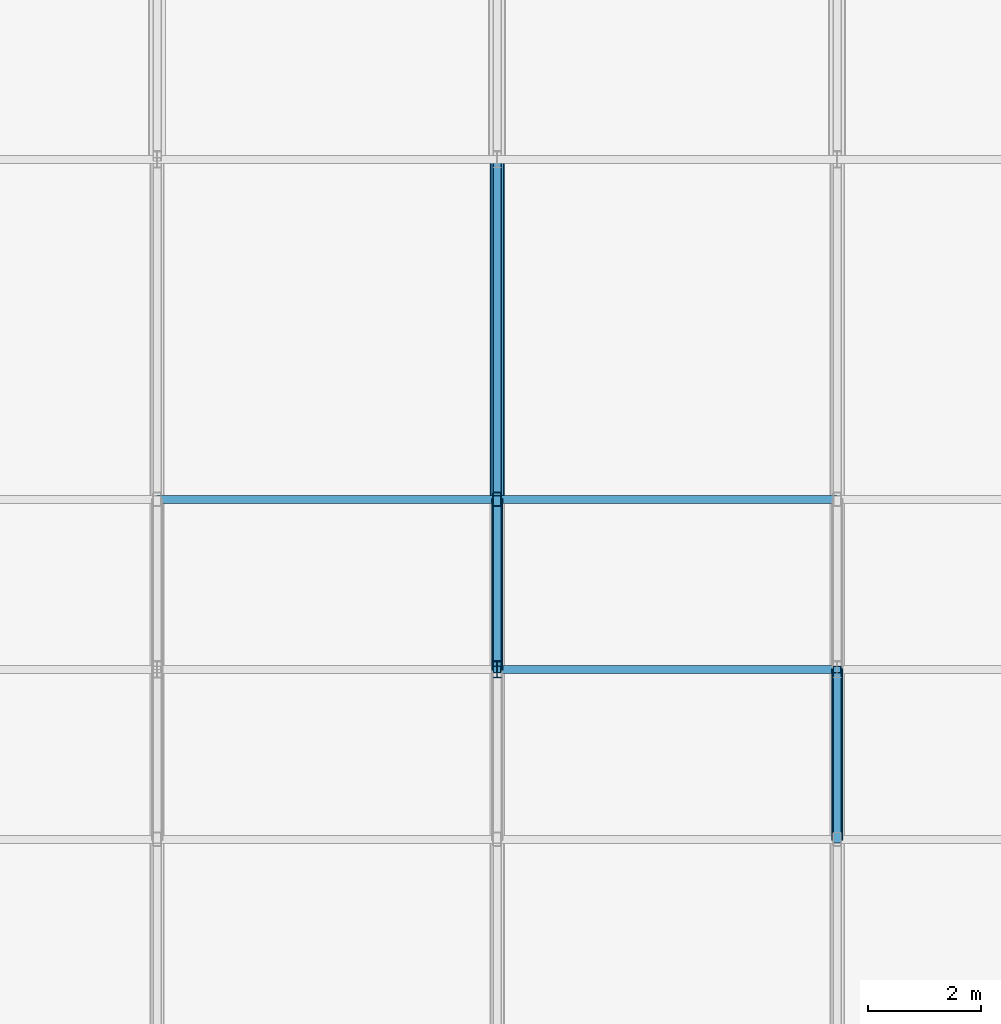
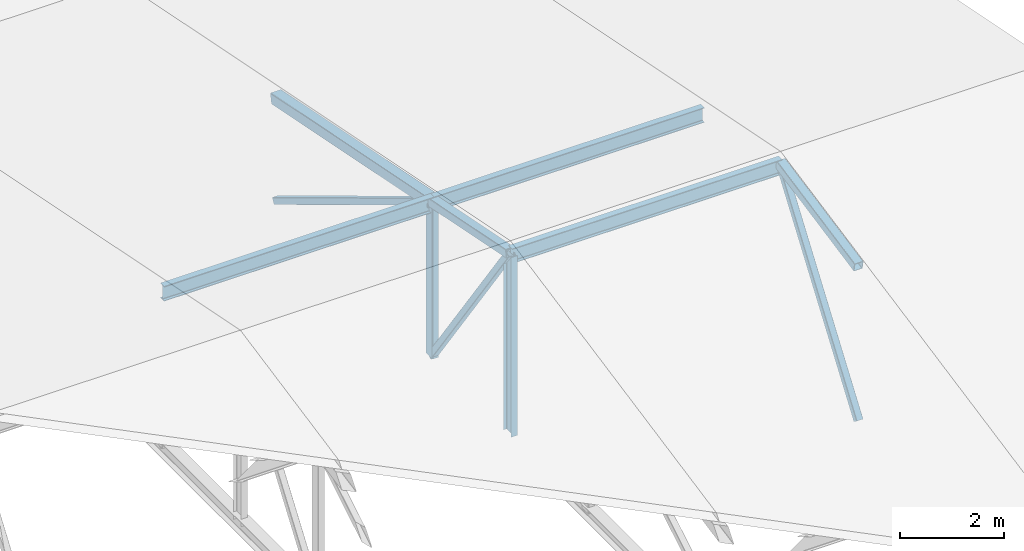
# One storey, part 36 of 83: 8 members, 3 beams.
"""IFC4 building model written with IfcOpenShell, lengths in metres."""

from ifc_helpers import new_model, si_unit, direction, frame, origin, origin_2d, place, context, subcontext, project, spatial, hollow_rectangle, i_section, extrude, material, material_profile, profile_set, type_object, element, save


model = new_model("IFC4")

# Units and contexts
model_context = context("Model", 3, precision=1e-05, world=origin(), true_north=direction((0.0, 1.0)))
body_context = subcontext(model_context, "Body", "Model", "MODEL_VIEW")
ifc_project = project(units=[si_unit("LENGTHUNIT", "METRE"), si_unit("AREAUNIT", "SQUARE_METRE"), si_unit("VOLUMEUNIT", "CUBIC_METRE"), si_unit("PLANEANGLEUNIT", "RADIAN"), si_unit("MASSUNIT", "GRAM", prefix="KILO")], contexts=[model_context])

# Site, building, storey
site_placement = place(None, origin())
site = spatial("IfcSite", under=ifc_project, at=site_placement, CompositionType="ELEMENT")
building_placement = place(site_placement, origin())
building = spatial("IfcBuilding", under=site, at=building_placement, Name="Varnakota Square Police Headquarters", CompositionType="ELEMENT")
storey_placement = place(building_placement, frame((0.0, 0.0, 18.0)))
storey = spatial("IfcBuildingStorey", under=building, at=storey_placement, Name="L04", CompositionType="ELEMENT", Elevation=18.0)

# Beams
ifc_material = material(Name="Steel IS 2062 Grade 350", Category="steel")
ifc_material_profile_1 = material_profile(ifc_material, hollow_rectangle(XDim=0.199951171875, YDim=0.199951171875, WallThickness=0.010009765625, InnerFilletRadius=0.010009765625, OuterFilletRadius=0.02001953125, at=origin_2d()), Name="SHS 200x200x10")
ifc_profile_set_1 = profile_set([ifc_material_profile_1], Name="Steel IS 2062 Grade 350")
beam_type_1 = type_object("IfcBeamType", Name="BM-TR-SHS200", PredefinedType="BEAM", material=ifc_profile_set_1)
for number, where, z_axis, x_axis, name in (
    (1, (42.0, 90.0, 2.719970703125), (0.0, 0.980589882373, -0.196070096109), (-1.0, 0.0, 0.0), "ROOF TRUSS top chord T6-P4"),
    (2, (48.0, 87.0, 2.1201171875), (0.0, 0.980589882373, 0.196070096109), (-1.0, 0.0, 0.0), "ROOF TRUSS top chord T7-P3"),
):
    element("IfcBeam", number, at=place(storey_placement, frame(where, z_axis=z_axis, x_axis=x_axis)), inside=storey, type_object=beam_type_1, Name=name, PredefinedType="BEAM", context=body_context, shape_type="SweptSolid", body=[
        extrude(hollow_rectangle(XDim=0.199951171875, YDim=0.199951171875, WallThickness=0.010009765625, InnerFilletRadius=0.010009765625, OuterFilletRadius=0.02001953125, at=origin_2d()), origin(), (0.0, 0.0, 1.0), 3.059326171875),
    ])
ifc_material_profile_2 = material_profile(ifc_material, hollow_rectangle(XDim=0.25, YDim=0.25, WallThickness=0.011962890625, InnerFilletRadius=0.011962890625, OuterFilletRadius=0.02392578125, at=origin_2d()), Name="SHS 250x250x12")
ifc_profile_set_2 = profile_set([ifc_material_profile_2], Name="Steel IS 2062 Grade 350")
beam_type_2 = type_object("IfcBeamType", Name="BM-TR-SHS250", PredefinedType="BEAM", material=ifc_profile_set_2)
beam_placement = place(storey_placement, frame((42.0, 93.0, 2.1201171875), z_axis=(0.0, 0.980574536798, -0.196146827104), x_axis=(-1.0, 0.0, 0.0)))
element("IfcBeam", 3, at=beam_placement, inside=storey, type_object=beam_type_2, Name="ROOF TRUSS top chord T6-P5", PredefinedType="BEAM", context=body_context, shape_type="SweptSolid", body=[
    extrude(hollow_rectangle(XDim=0.25, YDim=0.25, WallThickness=0.011962890625, InnerFilletRadius=0.011962890625, OuterFilletRadius=0.02392578125, at=origin_2d()), origin(), (0.0, 0.0, 1.0), 6.118896484375),
])

# Members
ifc_material_profile_3 = material_profile(ifc_material, hollow_rectangle(XDim=0.14990234375, YDim=0.14990234375, WallThickness=0.008056640625, InnerFilletRadius=0.008056640625, OuterFilletRadius=0.01611328125, at=origin_2d()), Name="SHS 150x150x8")
ifc_profile_set_3 = profile_set([ifc_material_profile_3], Name="Steel IS 2062 Grade 350")
member_type_1 = type_object("IfcMemberType", Name="MEM-BR-SHS150", PredefinedType="BRACE", material=ifc_profile_set_3)
member_1_placement = place(storey_placement, frame((42.0, 90.0, 2.719970703125), z_axis=(0.0, 0.579412433141, -0.815034497627), x_axis=(-1.0, 0.0, 0.0)))
element("IfcMember", 4, at=member_1_placement, inside=storey, type_object=member_type_1, Name="ROOF TRUSS diagonal web T6-P4", PredefinedType="BRACE", context=body_context, shape_type="SweptSolid", body=[
    extrude(hollow_rectangle(XDim=0.14990234375, YDim=0.14990234375, WallThickness=0.008056640625, InnerFilletRadius=0.008056640625, OuterFilletRadius=0.01611328125, at=origin_2d()), origin(), (0.0, 0.0, 1.0), 5.177734375),
])
member_2_placement = place(storey_placement, frame((42.0, 93.0, 2.1201171875), z_axis=(0.0, 0.856223797044, -0.516605080671), x_axis=(-1.0, 0.0, 0.0)))
element("IfcMember", 5, at=member_2_placement, inside=storey, type_object=member_type_1, Name="ROOF TRUSS diagonal web T6-P5", PredefinedType="BRACE", context=body_context, shape_type="SweptSolid", body=[
    extrude(hollow_rectangle(XDim=0.14990234375, YDim=0.14990234375, WallThickness=0.008056640625, InnerFilletRadius=0.008056640625, OuterFilletRadius=0.01611328125, at=origin_2d()), origin(), (0.0, 0.0, 1.0), 7.007568359375),
])
member_3_placement = place(storey_placement, frame((48.0, 87.0, -1.5), z_axis=(0.0, 0.579412433141, 0.815034497627), x_axis=(-1.0, 0.0, 0.0)))
element("IfcMember", 6, at=member_3_placement, inside=storey, type_object=member_type_1, Name="ROOF TRUSS diagonal web T7-P3", PredefinedType="BRACE", context=body_context, shape_type="SweptSolid", body=[
    extrude(hollow_rectangle(XDim=0.14990234375, YDim=0.14990234375, WallThickness=0.008056640625, InnerFilletRadius=0.008056640625, OuterFilletRadius=0.01611328125, at=origin_2d()), origin(), (0.0, 0.0, 1.0), 5.177734375),
])
ifc_material_profile_4 = material_profile(ifc_material, i_section(OverallWidth=0.139892578125, OverallDepth=0.35009765625, WebThickness=0.008056640625, FlangeThickness=0.01416015625, FilletRadius=0.013916015625, at=origin_2d()), Name="ISMB 350")
ifc_profile_set_4 = profile_set([ifc_material_profile_4], Name="Steel IS 2062 Grade 350")
member_type_2 = type_object("IfcMemberType", Name="MEM-PUR-ISMB350", PredefinedType="PURLIN", material=ifc_profile_set_4)
for number, where, z_axis, x_axis, name in (
    (7, (36.0, 93.0, 2.074951171875), (1.0, 0.0, 0.0), (0.0, 1.0, 0.0), "Tactical hall purlin B5-Y93"),
    (8, (42.0, 90.0, 2.675048828125), (1.0, 0.0, 0.0), (0.0, 1.0, 0.0), "Tactical hall purlin B6-Y90"),
    (9, (42.0, 93.0, 2.074951171875), (1.0, 0.0, 0.0), (0.0, 1.0, 0.0), "Tactical hall purlin B6-Y93"),
):
    element("IfcMember", number, at=place(storey_placement, frame(where, z_axis=z_axis, x_axis=x_axis)), inside=storey, type_object=member_type_2, Name=name, PredefinedType="PURLIN", context=body_context, shape_type="SweptSolid", body=[
        extrude(i_section(OverallWidth=0.139892578125, OverallDepth=0.35009765625, WebThickness=0.008056640625, FlangeThickness=0.01416015625, FilletRadius=0.013916015625, at=origin_2d()), origin(), (0.0, 0.0, 1.0), 6.0),
    ])
ifc_material_profile_5 = material_profile(ifc_material, i_section(OverallWidth=0.139892578125, OverallDepth=0.300048828125, WebThickness=0.0078125, FlangeThickness=0.01318359375, FilletRadius=0.013916015625, at=origin_2d()), Name="ISMB 300")
ifc_profile_set_5 = profile_set([ifc_material_profile_5], Name="Steel IS 2062 Grade 350")
member_type_3 = type_object("IfcMemberType", Name="MEM-STR-ISMB300", PredefinedType="STRUT", material=ifc_profile_set_5)
member_4_placement = place(storey_placement, frame((42.0, 90.0, -1.5), z_axis=(0.0, 0.0, 1.0), x_axis=(1.0, 0.0, 0.0)))
element("IfcMember", 10, at=member_4_placement, inside=storey, type_object=member_type_3, Name="ROOF TRUSS vertical strut T6-V3", PredefinedType="STRUT", context=body_context, shape_type="SweptSolid", body=[
    extrude(i_section(OverallWidth=0.139892578125, OverallDepth=0.300048828125, WebThickness=0.0078125, FlangeThickness=0.01318359375, FilletRadius=0.013916015625, at=origin_2d()), origin(), (0.0, 0.0, 1.0), 4.219970703125),
])
ifc_material_profile_6 = material_profile(ifc_material, hollow_rectangle(XDim=0.14990234375, YDim=0.25, WallThickness=0.010009765625, InnerFilletRadius=0.010009765625, OuterFilletRadius=0.02001953125, at=origin_2d()), Name="RHS 250x150x10")
ifc_profile_set_6 = profile_set([ifc_material_profile_6], Name="Steel IS 2062 Grade 350")
member_type_4 = type_object("IfcMemberType", Name="MEM-STR-RHS250", PredefinedType="STRUT", material=ifc_profile_set_6)
member_5_placement = place(storey_placement, frame((42.0, 93.0, -1.5), z_axis=(0.0, 0.0, 1.0), x_axis=(1.0, 0.0, 0.0)))
element("IfcMember", 11, at=member_5_placement, inside=storey, type_object=member_type_4, Name="ROOF TRUSS vertical strut T6-V4", PredefinedType="STRUT", context=body_context, shape_type="SweptSolid", body=[
    extrude(hollow_rectangle(XDim=0.14990234375, YDim=0.25, WallThickness=0.010009765625, InnerFilletRadius=0.010009765625, OuterFilletRadius=0.02001953125, at=origin_2d()), origin(), (0.0, 0.0, 1.0), 3.6201171875),
])

save(model, "model.ifc")
